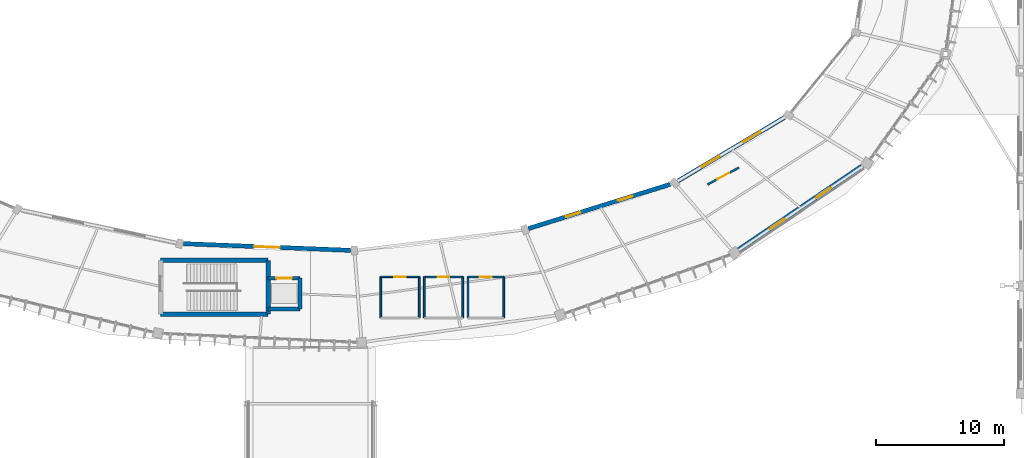
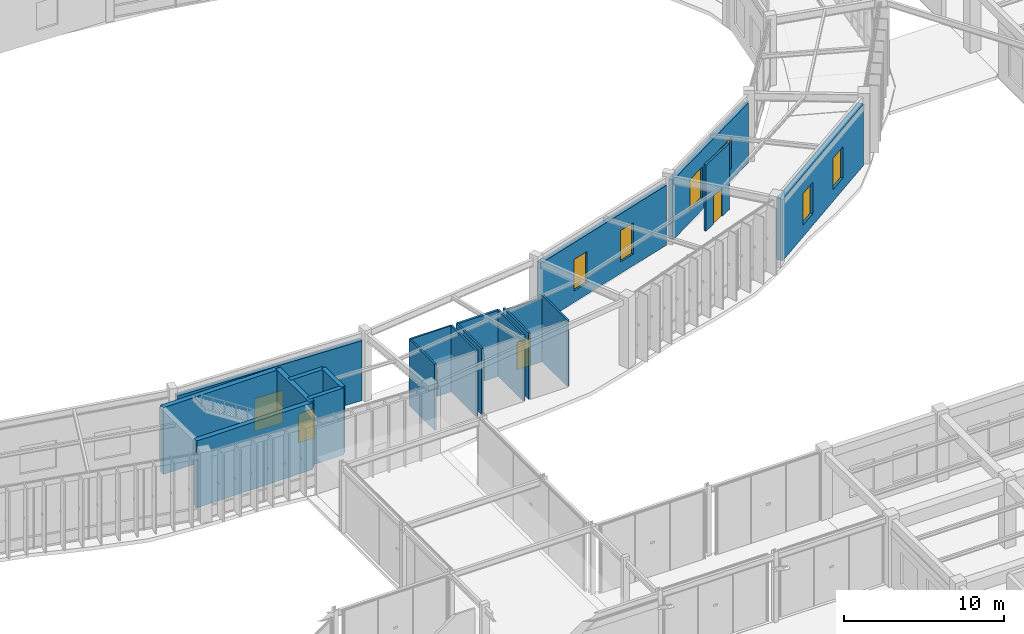
# One storey, part 130 of 157: 20 walls, 6 doors, 6 windows, 12 openings.
"""IFC4 building model written with IfcOpenShell, lengths in metres."""

from ifc_helpers import new_model, si_unit, direction, frame, frame_2d, origin, place, context, subcontext, project, spatial, rectangle, extrude, material, layer, layer_set, type_object, element, fill, save


model = new_model("IFC4")

# Units and contexts
model_context = context("Model", 3, precision=1e-05, world=origin(), true_north=direction((0.0, 1.0)))
body_context = subcontext(model_context, "Body", "Model", "MODEL_VIEW")
ifc_project = project(units=[si_unit("LENGTHUNIT", "METRE"), si_unit("AREAUNIT", "SQUARE_METRE"), si_unit("VOLUMEUNIT", "CUBIC_METRE"), si_unit("PLANEANGLEUNIT", "RADIAN"), si_unit("MASSUNIT", "GRAM", prefix="KILO"), si_unit("THERMODYNAMICTEMPERATUREUNIT", "KELVIN"), si_unit("POWERUNIT", "WATT")], contexts=[model_context])

# Site, building, storey
site_placement = place(None, origin())
site = spatial("IfcSite", under=ifc_project, at=site_placement, CompositionType="ELEMENT")
building_placement = place(site_placement, origin())
building = spatial("IfcBuilding", under=site, at=building_placement, Name="Darbajah Civic Hall", CompositionType="ELEMENT")
storey_placement = place(building_placement, origin())
storey = spatial("IfcBuildingStorey", under=building, at=storey_placement, Name="L00", CompositionType="ELEMENT", Elevation=0.0)

# Wall, opening, door
ifc_material_1 = material(Name="Concrete C45/55", Category="concrete")
ifc_layer_1 = layer(ifc_material_1, 0.300048828125, Name="Concrete C45/55")
ifc_layer_set_1 = layer_set([ifc_layer_1], Name="Concrete C45/55")
wall_type_1 = type_object("IfcWallType", Name="Core Shear Wall 300mm", PredefinedType="SHEAR", material=ifc_layer_set_1)
wall_1_placement = place(storey_placement, frame((88.300048828125, 65.39990234375, 0.0), z_axis=(0.0, 0.0, 1.0), x_axis=(-1.0, 0.0, 0.0)))
wall_1 = element("IfcWall", 1, at=wall_1_placement, inside=storey, type_object=wall_type_1, Name="L00 lift PL1 shaft wall N", PredefinedType="SHEAR", context=body_context, shape_type="SweptSolid", body=[
    extrude(rectangle(XDim=2.5, YDim=0.300048828125, at=frame_2d((1.25, 0.0))), origin(), (0.0, 0.0, 1.0), 5.1201171875),
])
opening_1_placement = place(wall_1_placement, frame((0.64990234375, 0.0, 0.0)))
opening_1 = element("IfcOpeningElement", 2, at=opening_1_placement, cuts=wall_1, Name="Opening LD-0050", PredefinedType="OPENING", context=body_context, shape_type="SweptSolid", body=[
    extrude(rectangle(XDim=1.199951171875, YDim=2.25, at=frame_2d((0.60009765625, 1.125))), frame((0.0, 0.159912109375, 0.0), z_axis=(0.0, -1.0, 0.0), x_axis=(1.0, 0.0, 0.0)), (0.0, 0.0, 1.0), 0.320068359375),
])
ifc_material_2 = material(Name="Stainless Lift Landing Door")
door_type_1 = type_object("IfcDoorType", Name="Lift Landing Door 1200x2250", OperationType="SLIDING_TO_LEFT", PredefinedType="DOOR", material=ifc_material_2)
door_1_placement = place(opening_1_placement, origin())
door_1 = element("IfcDoor", 3, at=door_1_placement, inside=storey, type_object=door_type_1, Name="L00 lift PL1 landing door LD-0050", OperationType="SLIDING_TO_LEFT", OverallHeight=2.25, OverallWidth=1.199951171875, PredefinedType="DOOR", context=body_context, shape_type="SweptSolid", body=[
    extrude(rectangle(XDim=1.199951171875, YDim=2.25, at=frame_2d((0.60009765625, 1.125))), frame((0.0, 0.02490234375, 0.0), z_axis=(0.0, -1.0, 0.0), x_axis=(1.0, 0.0, 0.0)), (0.0, 0.0, 1.0), 0.050048828125),
])
fill(opening_1, door_1)

# Walls
wall_2_placement = place(storey_placement, frame((85.800048828125, 63.0, 0.0), z_axis=(0.0, 0.0, 1.0), x_axis=(1.0, 0.0, 0.0)))
element("IfcWall", 4, at=wall_2_placement, inside=storey, type_object=wall_type_1, Name="L00 lift PL1 shaft wall S", PredefinedType="SHEAR", context=body_context, shape_type="SweptSolid", body=[
    extrude(rectangle(XDim=2.5, YDim=0.300048828125, at=frame_2d((1.25, 0.0))), origin(), (0.0, 0.0, 1.0), 5.1201171875),
])
wall_3_placement = place(storey_placement, frame((88.300048828125, 63.0, 0.0), z_axis=(0.0, 0.0, 1.0), x_axis=(0.0, 1.0, 0.0)))
element("IfcWall", 5, at=wall_3_placement, inside=storey, type_object=wall_type_1, Name="L00 lift PL1 shaft wall E", PredefinedType="SHEAR", context=body_context, shape_type="SweptSolid", body=[
    extrude(rectangle(XDim=2.39990234375, YDim=0.300048828125, at=frame_2d((1.199951171875, 0.0))), origin(), (0.0, 0.0, 1.0), 5.1201171875),
])
ifc_material_3 = material(Name="Concrete C50/60", Category="concrete")
ifc_layer_2 = layer(ifc_material_3, 0.35009765625, Name="Concrete C50/60")
ifc_layer_set_2 = layer_set([ifc_layer_2], Name="Concrete C50/60")
wall_type_2 = type_object("IfcWallType", Name="Core Shear Wall 350mm", PredefinedType="SHEAR", material=ifc_layer_set_2)
wall_4_placement = place(storey_placement, frame((77.39990234375, 62.60009765625, 0.0), z_axis=(0.0, 0.0, 1.0), x_axis=(1.0, 0.0, 0.0)))
element("IfcWall", 6, at=wall_4_placement, inside=storey, type_object=wall_type_2, Name="L00 core C03 shear wall S", PredefinedType="SHEAR", context=body_context, shape_type="SweptSolid", body=[
    extrude(rectangle(XDim=8.400146484375, YDim=0.35009765625, at=frame_2d((4.2001953125, 0.0))), origin(), (0.0, 0.0, 1.0), 5.1201171875),
])
wall_5_placement = place(storey_placement, frame((85.800048828125, 62.60009765625, 0.0), z_axis=(0.0, 0.0, 1.0), x_axis=(0.0, 1.0, 0.0)))
element("IfcWall", 7, at=wall_5_placement, inside=storey, type_object=wall_type_2, Name="L00 core C03 shear wall E", PredefinedType="SHEAR", context=body_context, shape_type="SweptSolid", body=[
    extrude(rectangle(XDim=4.199951171875, YDim=0.35009765625, at=frame_2d((2.10009765625, 0.0))), origin(), (0.0, 0.0, 1.0), 5.1201171875),
])
wall_6_placement = place(storey_placement, frame((85.800048828125, 66.800048828125, 0.0), z_axis=(0.0, 0.0, 1.0), x_axis=(-1.0, 0.0, 0.0)))
element("IfcWall", 8, at=wall_6_placement, inside=storey, type_object=wall_type_2, Name="L00 core C03 shear wall N", PredefinedType="SHEAR", context=body_context, shape_type="SweptSolid", body=[
    extrude(rectangle(XDim=8.400146484375, YDim=0.35009765625, at=frame_2d((4.2001953125, 0.0))), origin(), (0.0, 0.0, 1.0), 5.1201171875),
])

# Wall, opening, door
ifc_material_4 = material(Name="Qatari Desert Limestone Ashlar", Category="masonry")
ifc_layer_3 = layer(ifc_material_4, 0.340087890625, Name="Qatari Desert Limestone Ashlar")
ifc_layer_set_3 = layer_set([ifc_layer_3], Name="Qatari Desert Limestone Ashlar")
wall_type_3 = type_object("IfcWallType", Name="Exterior Wall 340mm", PredefinedType="SOLIDWALL", material=ifc_layer_set_3)
wall_7_placement = place(storey_placement, frame((79.18994140625, 68.103515625, 0.0), z_axis=(0.0, 0.0, 1.0), x_axis=(0.999197941097, -0.040043407783, 0.0)))
wall_7 = element("IfcWall", 9, at=wall_7_placement, inside=storey, type_object=wall_type_3, Name="L00 exterior wall EW-340", PredefinedType="SOLIDWALL", context=body_context, shape_type="SweptSolid", body=[
    extrude(rectangle(XDim=13.065673828125, YDim=0.340087890625, at=frame_2d((6.53271484375, 0.0))), origin(), (0.0, 0.0, 1.0), 4.5869140625),
])
opening_2_placement = place(wall_7_placement, frame((5.53271484375, 0.0, 0.0)))
opening_2 = element("IfcOpeningElement", 10, at=opening_2_placement, cuts=wall_7, Name="Opening E-003", PredefinedType="OPENING", context=body_context, shape_type="SweptSolid", body=[
    extrude(rectangle(XDim=2.0, YDim=2.5, at=frame_2d((1.0, 1.25))), frame((0.0, 0.179931640625, 0.0), z_axis=(0.0, -1.0, 0.0), x_axis=(1.0, 0.0, 0.0)), (0.0, 0.0, 1.0), 0.360107421875),
])
ifc_material_5 = material(Name="Anodised Bronze Aluminium and Laminated Glass", Category="aluminium")
door_type_2 = type_object("IfcDoorType", Name="Exterior Door 2000x2500", OperationType="NOTDEFINED", PredefinedType="DOOR", material=ifc_material_5)
door_2_placement = place(opening_2_placement, origin())
door_2 = element("IfcDoor", 11, at=door_2_placement, inside=storey, type_object=door_type_2, Name="Courtyard Pedestrian Exit E-003", OperationType="DOUBLE_DOOR_SINGLE_SWING", OverallHeight=2.5, OverallWidth=2.0, PredefinedType="DOOR", context=body_context, shape_type="SweptSolid", body=[
    extrude(rectangle(XDim=2.0, YDim=2.5, at=frame_2d((1.0, 1.25))), frame((0.0, 0.02490234375, 0.0), z_axis=(0.0, -1.0, 0.0), x_axis=(1.0, 0.0, 0.0)), (0.0, 0.0, 1.0), 0.050048828125),
])
fill(opening_2, door_2)

# Wall, openings, windows
wall_8_placement = place(storey_placement, frame((106.131103515625, 69.281494140625, 0.0), z_axis=(0.0, 0.0, 1.0), x_axis=(0.95461409006, 0.297845495281, 0.0)))
wall_8 = element("IfcWall", 12, at=wall_8_placement, inside=storey, type_object=wall_type_3, Name="L00 exterior wall EW-340", PredefinedType="SOLIDWALL", context=body_context, shape_type="SweptSolid", body=[
    extrude(rectangle(XDim=11.587890625, YDim=0.340087890625, at=frame_2d((5.7939453125, 0.0))), origin(), (0.0, 0.0, 1.0), 4.5869140625),
])
opening_3_placement = place(wall_8_placement, frame((3.0625, 0.0, 0.89990234375)))
opening_3 = element("IfcOpeningElement", 13, at=opening_3_placement, cuts=wall_8, Name="Opening WN-09", PredefinedType="OPENING", context=body_context, shape_type="SweptSolid", body=[
    extrude(rectangle(XDim=1.199951171875, YDim=2.39990234375, at=frame_2d((0.60009765625, 1.199951171875))), frame((0.0, 0.179931640625, 0.0), z_axis=(0.0, -1.0, 0.0), x_axis=(1.0, 0.0, 0.0)), (0.0, 0.0, 1.0), 0.360107421875),
])
opening_4_placement = place(wall_8_placement, frame((7.3251953125, 0.0, 0.89990234375)))
opening_4 = element("IfcOpeningElement", 14, at=opening_4_placement, cuts=wall_8, Name="Opening WN-09", PredefinedType="OPENING", context=body_context, shape_type="SweptSolid", body=[
    extrude(rectangle(XDim=1.199951171875, YDim=2.39990234375, at=frame_2d((0.60009765625, 1.199951171875))), frame((0.0, 0.179931640625, 0.0), z_axis=(0.0, -1.0, 0.0), x_axis=(1.0, 0.0, 0.0)), (0.0, 0.0, 1.0), 0.360107421875),
])
ifc_material_6 = material(Name="Low-E Solar Control Double Glazing", Category="glass")
window_type_1 = type_object("IfcWindowType", Name="Facade Window 1200x2400", PartitioningType="SINGLE_PANEL", PredefinedType="WINDOW", material=ifc_material_6)
window_1_placement = place(opening_3_placement, origin())
window_1 = element("IfcWindow", 15, at=window_1_placement, inside=storey, type_object=window_type_1, Name="L00 facade window WN-09", OverallHeight=2.39990234375, OverallWidth=1.199951171875, PartitioningType="SINGLE_PANEL", PredefinedType="WINDOW", context=body_context, shape_type="SweptSolid", body=[
    extrude(rectangle(XDim=1.199951171875, YDim=2.39990234375, at=frame_2d((0.60009765625, 1.199951171875))), frame((0.0, 0.030029296875, 0.0), z_axis=(0.0, -1.0, 0.0), x_axis=(1.0, 0.0, 0.0)), (0.0, 0.0, 1.0), 0.06005859375),
])
fill(opening_3, window_1)
window_2_placement = place(opening_4_placement, origin())
window_2 = element("IfcWindow", 16, at=window_2_placement, inside=storey, type_object=window_type_1, Name="L00 facade window WN-09", OverallHeight=2.39990234375, OverallWidth=1.199951171875, PartitioningType="SINGLE_PANEL", PredefinedType="WINDOW", context=body_context, shape_type="SweptSolid", body=[
    extrude(rectangle(XDim=1.199951171875, YDim=2.39990234375, at=frame_2d((0.60009765625, 1.199951171875))), frame((0.0, 0.030029296875, 0.0), z_axis=(0.0, -1.0, 0.0), x_axis=(1.0, 0.0, 0.0)), (0.0, 0.0, 1.0), 0.06005859375),
])
fill(opening_4, window_2)

wall_9_placement = place(storey_placement, frame((117.809814453125, 73.000244140625, 0.0), z_axis=(0.0, 0.0, 1.0), x_axis=(0.858953382117, 0.512053793414, 0.0)))
wall_9 = element("IfcWall", 17, at=wall_9_placement, inside=storey, type_object=wall_type_3, Name="L00 exterior wall EW-340", PredefinedType="SOLIDWALL", context=body_context, shape_type="SweptSolid", body=[
    extrude(rectangle(XDim=9.667724609375, YDim=0.340087890625, at=frame_2d((4.833984375, 0.0))), origin(), (0.0, 0.0, 1.0), 4.5869140625),
])
opening_5_placement = place(wall_9_placement, frame((2.156005859375, 0.0, 0.89990234375)))
opening_5 = element("IfcOpeningElement", 18, at=opening_5_placement, cuts=wall_9, Name="Opening WN-11", PredefinedType="OPENING", context=body_context, shape_type="SweptSolid", body=[
    extrude(rectangle(XDim=1.60009765625, YDim=2.39990234375, at=frame_2d((0.800048828125, 1.199951171875))), frame((0.0, 0.179931640625, 0.0), z_axis=(0.0, -1.0, 0.0), x_axis=(1.0, 0.0, 0.0)), (0.0, 0.0, 1.0), 0.360107421875),
])
opening_6_placement = place(wall_9_placement, frame((5.911865234375, 0.0, 0.89990234375)))
opening_6 = element("IfcOpeningElement", 19, at=opening_6_placement, cuts=wall_9, Name="Opening WN-11", PredefinedType="OPENING", context=body_context, shape_type="SweptSolid", body=[
    extrude(rectangle(XDim=1.60009765625, YDim=2.39990234375, at=frame_2d((0.800048828125, 1.199951171875))), frame((0.0, 0.179931640625, 0.0), z_axis=(0.0, -1.0, 0.0), x_axis=(1.0, 0.0, 0.0)), (0.0, 0.0, 1.0), 0.360107421875),
])
window_type_2 = type_object("IfcWindowType", Name="Facade Window 1600x2400", PartitioningType="DOUBLE_PANEL_VERTICAL", PredefinedType="WINDOW", material=ifc_material_6)
window_3_placement = place(opening_5_placement, origin())
window_3 = element("IfcWindow", 20, at=window_3_placement, inside=storey, type_object=window_type_2, Name="L00 facade window WN-11", OverallHeight=2.39990234375, OverallWidth=1.60009765625, PartitioningType="SINGLE_PANEL", PredefinedType="WINDOW", context=body_context, shape_type="SweptSolid", body=[
    extrude(rectangle(XDim=1.60009765625, YDim=2.39990234375, at=frame_2d((0.800048828125, 1.199951171875))), frame((0.0, 0.030029296875, 0.0), z_axis=(0.0, -1.0, 0.0), x_axis=(1.0, 0.0, 0.0)), (0.0, 0.0, 1.0), 0.06005859375),
])
fill(opening_5, window_3)
window_4_placement = place(opening_6_placement, origin())
window_4 = element("IfcWindow", 21, at=window_4_placement, inside=storey, type_object=window_type_2, Name="L00 facade window WN-11", OverallHeight=2.39990234375, OverallWidth=1.60009765625, PartitioningType="SINGLE_PANEL", PredefinedType="WINDOW", context=body_context, shape_type="SweptSolid", body=[
    extrude(rectangle(XDim=1.60009765625, YDim=2.39990234375, at=frame_2d((0.800048828125, 1.199951171875))), frame((0.0, 0.030029296875, 0.0), z_axis=(0.0, -1.0, 0.0), x_axis=(1.0, 0.0, 0.0)), (0.0, 0.0, 1.0), 0.06005859375),
])
fill(opening_6, window_4)

ifc_layer_4 = layer(ifc_material_4, 0.419921875, Name="Qatari Desert Limestone Ashlar")
ifc_layer_set_4 = layer_set([ifc_layer_4], Name="Qatari Desert Limestone Ashlar")
wall_type_4 = type_object("IfcWallType", Name="Exterior Wall 420mm", PredefinedType="SOLIDWALL", material=ifc_layer_set_4)
wall_10_placement = place(storey_placement, frame((122.566650390625, 67.6015625, 0.0), z_axis=(0.0, 0.0, 1.0), x_axis=(0.82798425242, 0.560751351085, 0.0)))
wall_10 = element("IfcWall", 22, at=wall_10_placement, inside=storey, type_object=wall_type_4, Name="L00 exterior wall EW-420", PredefinedType="SOLIDWALL", context=body_context, shape_type="SweptSolid", body=[
    extrude(rectangle(XDim=11.600830078125, YDim=0.419921875, at=frame_2d((5.80029296875, 0.0))), origin(), (0.0, 0.0, 1.0), 4.719970703125),
])
opening_7_placement = place(wall_10_placement, frame((2.93359375, 0.0, 0.89990234375)))
opening_7 = element("IfcOpeningElement", 23, at=opening_7_placement, cuts=wall_10, Name="Opening WN-10", PredefinedType="OPENING", context=body_context, shape_type="SweptSolid", body=[
    extrude(rectangle(XDim=1.39990234375, YDim=2.39990234375, at=frame_2d((0.699951171875, 1.199951171875))), frame((0.0, 0.219970703125, 0.0), z_axis=(0.0, -1.0, 0.0), x_axis=(1.0, 0.0, 0.0)), (0.0, 0.0, 1.0), 0.43994140625),
])
opening_8_placement = place(wall_10_placement, frame((7.26708984375, 0.0, 0.89990234375)))
opening_8 = element("IfcOpeningElement", 24, at=opening_8_placement, cuts=wall_10, Name="Opening WN-10", PredefinedType="OPENING", context=body_context, shape_type="SweptSolid", body=[
    extrude(rectangle(XDim=1.39990234375, YDim=2.39990234375, at=frame_2d((0.699951171875, 1.199951171875))), frame((0.0, 0.219970703125, 0.0), z_axis=(0.0, -1.0, 0.0), x_axis=(1.0, 0.0, 0.0)), (0.0, 0.0, 1.0), 0.43994140625),
])
window_type_3 = type_object("IfcWindowType", Name="Facade Window 1400x2400", PartitioningType="SINGLE_PANEL", PredefinedType="WINDOW", material=ifc_material_6)
window_5_placement = place(opening_7_placement, origin())
window_5 = element("IfcWindow", 25, at=window_5_placement, inside=storey, type_object=window_type_3, Name="L00 facade window WN-10", OverallHeight=2.39990234375, OverallWidth=1.39990234375, PartitioningType="SINGLE_PANEL", PredefinedType="WINDOW", context=body_context, shape_type="SweptSolid", body=[
    extrude(rectangle(XDim=1.39990234375, YDim=2.39990234375, at=frame_2d((0.699951171875, 1.199951171875))), frame((0.0, 0.030029296875, 0.0), z_axis=(0.0, -1.0, 0.0), x_axis=(1.0, 0.0, 0.0)), (0.0, 0.0, 1.0), 0.06005859375),
])
fill(opening_7, window_5)
window_6_placement = place(opening_8_placement, origin())
window_6 = element("IfcWindow", 26, at=window_6_placement, inside=storey, type_object=window_type_3, Name="L00 facade window WN-10", OverallHeight=2.39990234375, OverallWidth=1.39990234375, PartitioningType="SINGLE_PANEL", PredefinedType="WINDOW", context=body_context, shape_type="SweptSolid", body=[
    extrude(rectangle(XDim=1.39990234375, YDim=2.39990234375, at=frame_2d((0.699951171875, 1.199951171875))), frame((0.0, 0.030029296875, 0.0), z_axis=(0.0, -1.0, 0.0), x_axis=(1.0, 0.0, 0.0)), (0.0, 0.0, 1.0), 0.06005859375),
])
fill(opening_8, window_6)

# Wall, opening, door
ifc_material_7 = material(Name="Acoustic Gypsum Partition")
ifc_layer_5 = layer(ifc_material_7, 0.114990234375, Name="Acoustic Gypsum Partition")
ifc_layer_set_5 = layer_set([ifc_layer_5], Name="Acoustic Gypsum Partition")
wall_type_5 = type_object("IfcWallType", Name="Interior Partition 115mm", PredefinedType="PARTITIONING", material=ifc_layer_set_5)
wall_11_placement = place(storey_placement, frame((94.60009765625, 65.5, 0.0), z_axis=(0.0, 0.0, 1.0), x_axis=(1.0, 0.0, 0.0)))
wall_11 = element("IfcWall", 27, at=wall_11_placement, inside=storey, type_object=wall_type_5, Name="L00 interior partition L00-WCM", PredefinedType="PARTITIONING", context=body_context, shape_type="SweptSolid", body=[
    extrude(rectangle(XDim=3.0, YDim=0.114990234375, at=frame_2d((1.5, 0.0))), origin(), (0.0, 0.0, 1.0), 5.06005859375),
])
opening_9_placement = place(wall_11_placement, frame((1.050048828125, 0.0, 0.0)))
opening_9 = element("IfcOpeningElement", 28, at=opening_9_placement, cuts=wall_11, Name="Opening D-0157", PredefinedType="OPENING", context=body_context, shape_type="SweptSolid", body=[
    extrude(rectangle(XDim=0.89990234375, YDim=2.10009765625, at=frame_2d((0.449951171875, 1.050048828125))), frame((0.0, 0.0673828125, 0.0), z_axis=(0.0, -1.0, 0.0), x_axis=(1.0, 0.0, 0.0)), (0.0, 0.0, 1.0), 0.135009765625),
])
ifc_material_8 = material(Name="Oak Washroom Door")
door_type_3 = type_object("IfcDoorType", Name="Interior Door 900x2100", OperationType="NOTDEFINED", PredefinedType="DOOR", material=ifc_material_8)
door_3_placement = place(opening_9_placement, origin())
door_3 = element("IfcDoor", 29, at=door_3_placement, inside=storey, type_object=door_type_3, Name="L00 L00-WCM door D-0157", OperationType="SINGLE_SWING_RIGHT", OverallHeight=2.10009765625, OverallWidth=0.89990234375, PredefinedType="DOOR", context=body_context, shape_type="SweptSolid", body=[
    extrude(rectangle(XDim=0.89990234375, YDim=2.10009765625, at=frame_2d((0.449951171875, 1.050048828125))), frame((0.0, 0.02490234375, 0.0), z_axis=(0.0, -1.0, 0.0), x_axis=(1.0, 0.0, 0.0)), (0.0, 0.0, 1.0), 0.050048828125),
])
fill(opening_9, door_3)

# Walls
ifc_material_9 = material(Name="Gypsum Plasterboard on Steel Stud", Category="steel")
ifc_layer_6 = layer(ifc_material_9, 0.135009765625, Name="Gypsum Plasterboard on Steel Stud")
ifc_layer_set_6 = layer_set([ifc_layer_6], Name="Gypsum Plasterboard on Steel Stud")
wall_type_6 = type_object("IfcWallType", Name="Interior Partition 135mm", PredefinedType="PARTITIONING", material=ifc_layer_set_6)
for number, where, z_axis, x_axis, name in (
    (30, (97.60009765625, 62.300048828125, 0.0), (0.0, 0.0, 1.0), (0.0, 1.0, 0.0), "L00 restroom enclosure wall L00-WCM E"),
    (31, (94.60009765625, 62.300048828125, 0.0), (0.0, 0.0, 1.0), (0.0, 1.0, 0.0), "L00 restroom enclosure wall L00-WCM W"),
    (32, (101.0, 62.300048828125, 0.0), (0.0, 0.0, 1.0), (0.0, 1.0, 0.0), "L00 restroom enclosure wall L00-WCF E"),
    (33, (98.0, 62.300048828125, 0.0), (0.0, 0.0, 1.0), (0.0, 1.0, 0.0), "L00 restroom enclosure wall L00-WCF W"),
    (34, (104.199951171875, 62.300048828125, 0.0), (0.0, 0.0, 1.0), (0.0, 1.0, 0.0), "L00 restroom enclosure wall L00-WCA E"),
    (35, (101.39990234375, 62.300048828125, 0.0), (0.0, 0.0, 1.0), (0.0, 1.0, 0.0), "L00 restroom enclosure wall L00-WCA W"),
):
    element("IfcWall", number, at=place(storey_placement, frame(where, z_axis=z_axis, x_axis=x_axis)), inside=storey, type_object=wall_type_6, Name=name, PredefinedType="PARTITIONING", context=body_context, shape_type="SweptSolid", body=[
        extrude(rectangle(XDim=3.199951171875, YDim=0.135009765625, at=frame_2d((1.60009765625, 0.0))), origin(), (0.0, 0.0, 1.0), 5.06005859375),
    ])

# Wall, opening, door
wall_12_placement = place(storey_placement, frame((101.39990234375, 65.5, 0.0), z_axis=(0.0, 0.0, 1.0), x_axis=(1.0, 0.0, 0.0)))
wall_12 = element("IfcWall", 36, at=wall_12_placement, inside=storey, type_object=wall_type_6, Name="L00 interior partition L00-WCA", PredefinedType="PARTITIONING", context=body_context, shape_type="SweptSolid", body=[
    extrude(rectangle(XDim=2.800048828125, YDim=0.135009765625, at=frame_2d((1.39990234375, 0.0))), origin(), (0.0, 0.0, 1.0), 4.864013671875),
])
opening_10_placement = place(wall_12_placement, frame((0.925048828125, 0.0, 0.0)))
opening_10 = element("IfcOpeningElement", 37, at=opening_10_placement, cuts=wall_12, Name="Opening D-0159", PredefinedType="OPENING", context=body_context, shape_type="SweptSolid", body=[
    extrude(rectangle(XDim=0.949951171875, YDim=2.10009765625, at=frame_2d((0.47509765625, 1.050048828125))), frame((0.0, 0.077392578125, 0.0), z_axis=(0.0, -1.0, 0.0), x_axis=(1.0, 0.0, 0.0)), (0.0, 0.0, 1.0), 0.155029296875),
])
ifc_material_10 = material(Name="Accessible WC Door")
door_type_4 = type_object("IfcDoorType", Name="Interior Door 950x2100", OperationType="NOTDEFINED", PredefinedType="DOOR", material=ifc_material_10)
door_4_placement = place(opening_10_placement, origin())
door_4 = element("IfcDoor", 38, at=door_4_placement, inside=storey, type_object=door_type_4, Name="L00 L00-WCA door D-0159", OperationType="SINGLE_SWING_RIGHT", OverallHeight=2.10009765625, OverallWidth=0.949951171875, PredefinedType="DOOR", context=body_context, shape_type="SweptSolid", body=[
    extrude(rectangle(XDim=0.949951171875, YDim=2.10009765625, at=frame_2d((0.47509765625, 1.050048828125))), frame((0.0, 0.02490234375, 0.0), z_axis=(0.0, -1.0, 0.0), x_axis=(1.0, 0.0, 0.0)), (0.0, 0.0, 1.0), 0.050048828125),
])
fill(opening_10, door_4)

ifc_layer_7 = layer(ifc_material_9, 0.159912109375, Name="Gypsum Plasterboard on Steel Stud")
ifc_layer_set_7 = layer_set([ifc_layer_7], Name="Gypsum Plasterboard on Steel Stud")
wall_type_7 = type_object("IfcWallType", Name="Interior Partition 160mm", PredefinedType="PARTITIONING", material=ifc_layer_set_7)
wall_13_placement = place(storey_placement, frame((122.57861328125, 74.0419921875, 0.0), z_axis=(0.0, 0.0, 1.0), x_axis=(-0.881119526176, -0.472893625028, 0.0)))
wall_13 = element("IfcWall", 39, at=wall_13_placement, inside=storey, type_object=wall_type_7, Name="L00 interior partition L00-V1-01", PredefinedType="PARTITIONING", context=body_context, shape_type="SweptSolid", body=[
    extrude(rectangle(XDim=2.80126953125, YDim=0.159912109375, at=frame_2d((1.400634765625, 0.0))), origin(), (0.0, 0.0, 1.0), 5.06005859375),
])
opening_11_placement = place(wall_13_placement, frame((0.87548828125, 0.0, 0.0)))
opening_11 = element("IfcOpeningElement", 40, at=opening_11_placement, cuts=wall_13, Name="Opening D-0152", PredefinedType="OPENING", context=body_context, shape_type="SweptSolid", body=[
    extrude(rectangle(XDim=1.050048828125, YDim=2.14990234375, at=frame_2d((0.52490234375, 1.074951171875))), frame((0.0, 0.08984375, 0.0), z_axis=(0.0, -1.0, 0.0), x_axis=(1.0, 0.0, 0.0)), (0.0, 0.0, 1.0), 0.179931640625),
])
ifc_material_11 = material(Name="Acoustic Oak Office Door")
door_type_5 = type_object("IfcDoorType", Name="Interior Door 1050x2150", OperationType="NOTDEFINED", PredefinedType="DOOR", material=ifc_material_11)
door_5_placement = place(opening_11_placement, origin())
door_5 = element("IfcDoor", 41, at=door_5_placement, inside=storey, type_object=door_type_5, Name="L00 L00-V1-01 door D-0152", OperationType="SINGLE_SWING_LEFT", OverallHeight=2.14990234375, OverallWidth=1.050048828125, PredefinedType="DOOR", context=body_context, shape_type="SweptSolid", body=[
    extrude(rectangle(XDim=1.050048828125, YDim=2.14990234375, at=frame_2d((0.52490234375, 1.074951171875))), frame((0.0, 0.02490234375, 0.0), z_axis=(0.0, -1.0, 0.0), x_axis=(1.0, 0.0, 0.0)), (0.0, 0.0, 1.0), 0.050048828125),
])
fill(opening_11, door_5)

wall_14_placement = place(storey_placement, frame((98.0, 65.5, 0.0), z_axis=(0.0, 0.0, 1.0), x_axis=(1.0, 0.0, 0.0)))
wall_14 = element("IfcWall", 42, at=wall_14_placement, inside=storey, type_object=wall_type_7, Name="L00 interior partition L00-WCF", PredefinedType="PARTITIONING", context=body_context, shape_type="SweptSolid", body=[
    extrude(rectangle(XDim=3.0, YDim=0.159912109375, at=frame_2d((1.5, 0.0))), origin(), (0.0, 0.0, 1.0), 5.06005859375),
])
opening_12_placement = place(wall_14_placement, frame((1.050048828125, 0.0, 0.0)))
opening_12 = element("IfcOpeningElement", 43, at=opening_12_placement, cuts=wall_14, Name="Opening D-0158", PredefinedType="OPENING", context=body_context, shape_type="SweptSolid", body=[
    extrude(rectangle(XDim=0.89990234375, YDim=2.10009765625, at=frame_2d((0.449951171875, 1.050048828125))), frame((0.0, 0.08984375, 0.0), z_axis=(0.0, -1.0, 0.0), x_axis=(1.0, 0.0, 0.0)), (0.0, 0.0, 1.0), 0.179931640625),
])
door_6_placement = place(opening_12_placement, origin())
door_6 = element("IfcDoor", 44, at=door_6_placement, inside=storey, type_object=door_type_3, Name="L00 L00-WCF door D-0158", OperationType="SINGLE_SWING_LEFT", OverallHeight=2.10009765625, OverallWidth=0.89990234375, PredefinedType="DOOR", context=body_context, shape_type="SweptSolid", body=[
    extrude(rectangle(XDim=0.89990234375, YDim=2.10009765625, at=frame_2d((0.449951171875, 1.050048828125))), frame((0.0, 0.02490234375, 0.0), z_axis=(0.0, -1.0, 0.0), x_axis=(1.0, 0.0, 0.0)), (0.0, 0.0, 1.0), 0.050048828125),
])
fill(opening_12, door_6)

save(model, "model.ifc")
